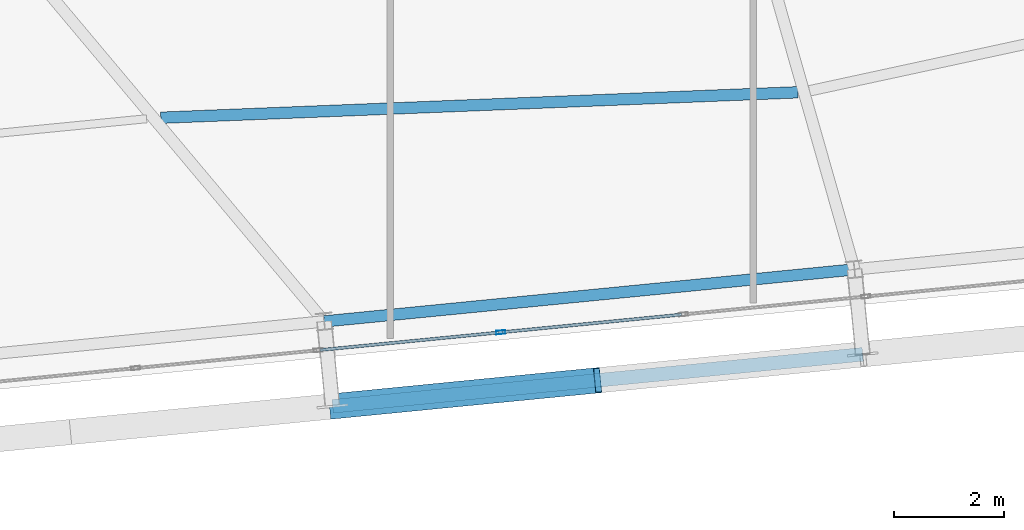
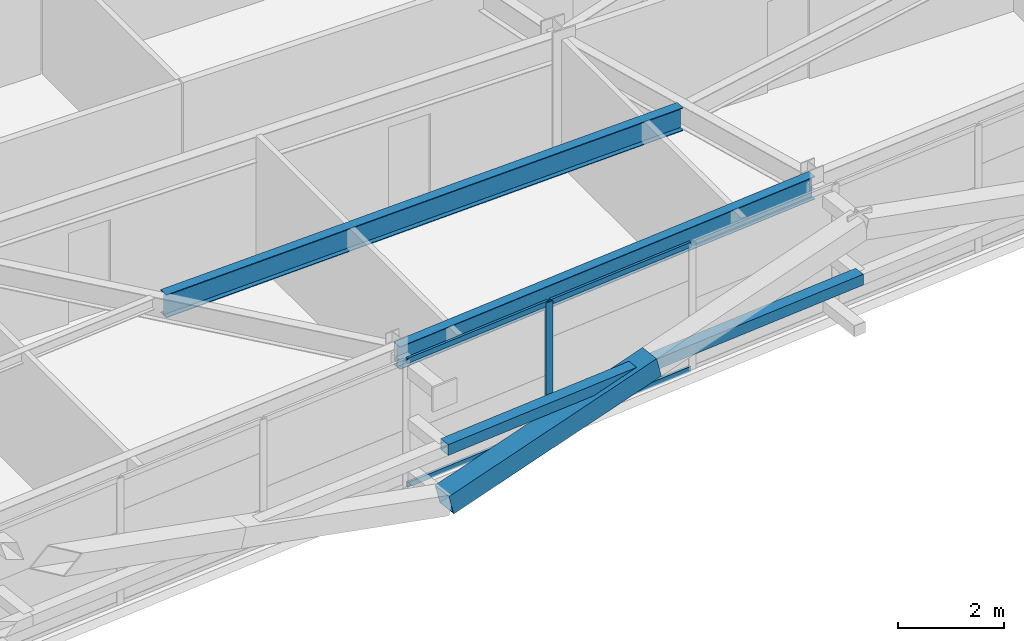
# One storey, part 11 of 52: 7 members, 2 beams, 1 element without a shape of its own.
"""IFC4 building model written with IfcOpenShell, lengths in metres."""

from ifc_helpers import new_model, si_unit, direction, frame, origin, origin_2d, place, context, subcontext, project, spatial, hollow_rectangle, i_section, extrude, source, transform, mapped, material, layer, layer_set, material_profile, profile_set, type_object, element, aggregate, save


model = new_model("IFC4")

# Units and contexts
model_context = context("Model", 3, precision=1e-05, world=origin(), true_north=direction((0.0, 1.0)))
body_context = subcontext(model_context, "Body", "Model", "MODEL_VIEW")
ifc_project = project(units=[si_unit("LENGTHUNIT", "METRE"), si_unit("AREAUNIT", "SQUARE_METRE"), si_unit("VOLUMEUNIT", "CUBIC_METRE"), si_unit("PLANEANGLEUNIT", "RADIAN"), si_unit("MASSUNIT", "GRAM", prefix="KILO")], contexts=[model_context])

# Site, building, storey
site_placement = place(None, origin())
site = spatial("IfcSite", under=ifc_project, at=site_placement, CompositionType="ELEMENT")
building_placement = place(site_placement, origin())
building = spatial("IfcBuilding", under=site, at=building_placement, Name="Taldren Reach Tower", CompositionType="ELEMENT")
storey_placement = place(building_placement, frame((0.0, 0.0, 74.550048828125)))
storey = spatial("IfcBuildingStorey", under=building, at=storey_placement, Name="L22", CompositionType="ELEMENT", Elevation=74.550048828125)

# Beams
ifc_material_1 = material(Name="Steel Gr 350 (350PLUS)", Category="steel")
ifc_material_profile_1 = material_profile(ifc_material_1, i_section(OverallWidth=0.208984375, OverallDepth=0.528076171875, WebThickness=0.009521484375, FlangeThickness=0.01318359375, at=origin_2d()), Name="530UB82.0")
ifc_profile_set_1 = profile_set([ifc_material_profile_1], Name="Steel Gr 350 (350PLUS)")
beam_type_1 = type_object("IfcBeamType", Name="SP-UB530B", PredefinedType="SPANDREL", material=ifc_profile_set_1)
shared_shape_1 = source(origin(), body_context, "Body", "SweptSolid", [
    extrude(i_section(OverallWidth=0.208984375, OverallDepth=0.528076171875, WebThickness=0.009521484375, FlangeThickness=0.01318359375, at=origin_2d()), origin(), (0.0, 0.0, 1.0), 9.679931640625),
])
beam_1_placement = place(storey_placement, frame((34.20166015625, 1.809326171875, 2.666015625), z_axis=(0.995227612658, 0.097580730699, 0.0), x_axis=(-0.097580730699, 0.995227612658, 0.0)))
element("IfcBeam", 1, at=beam_1_placement, inside=storey, type_object=beam_type_1, Name="Perimeter spandrel B2 S3-S4 L22", PredefinedType="SPANDREL", context=body_context, shape_type="MappedRepresentation", body=[
    mapped(shared_shape_1, transform((0.0, 0.0, 0.0), scale=1.0)),
])
ifc_material_profile_2 = material_profile(ifc_material_1, i_section(OverallWidth=0.208984375, OverallDepth=0.532958984375, WebThickness=0.01025390625, FlangeThickness=0.015625, at=origin_2d()), Name="530UB92.4")
ifc_profile_set_2 = profile_set([ifc_material_profile_2], Name="Steel Gr 350 (350PLUS)")
beam_type_2 = type_object("IfcBeamType", Name="BM-UB530A", PredefinedType="BEAM", material=ifc_profile_set_2)
shared_shape_2 = source(origin(), body_context, "Body", "SweptSolid", [
    extrude(i_section(OverallWidth=0.208984375, OverallDepth=0.532958984375, WebThickness=0.01025390625, FlangeThickness=0.015625, at=origin_2d()), origin(), (0.0, 0.0, 1.0), 11.586669921875),
])
beam_2_placement = place(storey_placement, frame((31.23291015625, 5.510009765625, 2.663330078125), z_axis=(0.999202506312, 0.039929329821, 0.0), x_axis=(-0.039929329821, 0.999202506312, 0.0)))
element("IfcBeam", 2, at=beam_2_placement, inside=storey, type_object=beam_type_2, Name="Secondary floor beam B2 J3 L22", PredefinedType="BEAM", context=body_context, shape_type="MappedRepresentation", body=[
    mapped(shared_shape_2, transform((0.0, 0.0, 0.0), scale=1.0)),
])

# Members
ifc_material_2 = material(Name="Steel Gr 450 (C450L0)", Category="steel")
ifc_material_profile_3 = material_profile(ifc_material_2, hollow_rectangle(XDim=0.4599609375, YDim=0.4599609375, WallThickness=0.01611328125, at=origin_2d()), Name="460x460x16.0SHS")
ifc_profile_set_3 = profile_set([ifc_material_profile_3], Name="Steel Gr 450 (C450L0)")
member_type_1 = type_object("IfcMemberType", Name="MB-EXO457", PredefinedType="BRACE", material=ifc_profile_set_3)
shared_shape_3 = source(origin(), body_context, "Body", "SweptSolid", [
    extrude(hollow_rectangle(XDim=0.4599609375, YDim=0.4599609375, WallThickness=0.01611328125, at=origin_2d()), origin(), (0.0, 0.0, 1.0), 4.990234375),
])
member_1_placement = place(storey_placement, frame((34.35302734375, 0.2666015625, 0.219970703125), z_axis=(0.965271056716, 0.094667992638, 0.243494883389), x_axis=(-0.097605711627, 0.995225162995, 0.0)))
element("IfcMember", 3, at=member_1_placement, inside=storey, type_object=member_type_1, Name="Exoskeleton Diagrid Brace B2-S3 L22", PredefinedType="BRACE", context=body_context, shape_type="MappedRepresentation", body=[
    mapped(shared_shape_3, transform((0.0, 0.0, 0.0), scale=1.0)),
])
ifc_material_3 = material(Name="Steel Gr 350 (C350L0)", Category="steel")
ifc_material_profile_4 = material_profile(ifc_material_3, hollow_rectangle(XDim=0.25, YDim=0.25, WallThickness=0.010009765625, at=origin_2d()), Name="250x250x10.0SHS")
ifc_profile_set_4 = profile_set([ifc_material_profile_4], Name="Steel Gr 350 (C350L0)")
member_type_2 = type_object("IfcMemberType", Name="MB-POST250", PredefinedType="POST", material=ifc_profile_set_4)
shared_shape_4 = source(origin(), body_context, "Body", "SweptSolid", [
    extrude(hollow_rectangle(XDim=0.25, YDim=0.25, WallThickness=0.010009765625, at=origin_2d()), origin(), (0.0, 0.0, 1.0), 9.679931640625),
])
member_2_placement = place(storey_placement, frame((34.35302734375, 0.2666015625, 1.43505859375), z_axis=(0.995225162995, 0.097605711627, 0.0), x_axis=(-0.097605711627, 0.995225162995, 0.0)))
element("IfcMember", 4, at=member_2_placement, inside=storey, type_object=member_type_2, Name="Exoskeleton mid-height ring chord B2-S3 L22", PredefinedType="POST", context=body_context, shape_type="MappedRepresentation", body=[
    mapped(shared_shape_4, transform((0.0, 0.0, 0.0), scale=1.0)),
])

# Curtain wall, members
ifc_material_4 = material(Name="Aluminium and Low-E Glass Unitised System", Category="aluminium")
ifc_layer = layer(ifc_material_4, 0.159912109375)
ifc_layer_set = layer_set([ifc_layer], Name="Aluminium and Low-E Glass Unitised System")
curtain_wall_type = type_object("IfcCurtainWallType", Name="CW-SYS-3", PredefinedType="NOTDEFINED", material=ifc_layer_set)
curtain_wall_placement = place(storey_placement, origin())
curtain_wall = element("IfcCurtainWall", 5, at=curtain_wall_placement, inside=storey, type_object=curtain_wall_type, Name="Unitised curtain wall CW-L22-S", PredefinedType="NOTDEFINED")
ifc_material_5 = material(Name="Anodised Aluminium 6063-T6", Category="aluminium")
ifc_material_profile_5 = material_profile(ifc_material_5, hollow_rectangle(XDim=0.06494140625, YDim=0.1650390625, WallThickness=0.00390625, at=origin_2d()), Name="ALU-165x65x4RHS")
ifc_profile_set_5 = profile_set([ifc_material_profile_5], Name="Anodised Aluminium 6063-T6")
member_type_3 = type_object("IfcMemberType", Name="CW-MUL-165", PredefinedType="MULLION", material=ifc_profile_set_5)
shared_shape_5 = source(origin(), body_context, "Body", "SweptSolid", [
    extrude(hollow_rectangle(XDim=0.06494140625, YDim=0.1650390625, WallThickness=0.00390625, at=origin_2d()), origin(), (0.0, 0.0, 1.0), 2.929931640625),
])
member_3_placement = place(storey_placement, frame((37.40966796875, 1.611328125, 0.0), z_axis=(0.0, 0.0, 1.0), x_axis=(-0.097582999046, 0.995227390247, 0.0)))
member_3 = element("IfcMember", 6, at=member_3_placement, type_object=member_type_3, Name="CW-3 mullion 8", PredefinedType="MULLION", context=body_context, shape_type="MappedRepresentation", body=[
    mapped(shared_shape_5, transform((0.0, 0.0, 0.0), scale=1.0)),
])
ifc_material_profile_6 = material_profile(ifc_material_5, hollow_rectangle(XDim=0.054931640625, YDim=0.1201171875, WallThickness=0.0029296875, at=origin_2d()), Name="ALU-120x55x3RHS")
ifc_profile_set_6 = profile_set([ifc_material_profile_6], Name="Anodised Aluminium 6063-T6")
member_type_4 = type_object("IfcMemberType", Name="CW-TRN-135", PredefinedType="USERDEFINED", material=ifc_profile_set_6)
shared_shape_6 = source(origin(), body_context, "Body", "SweptSolid", [
    extrude(hollow_rectangle(XDim=0.054931640625, YDim=0.1201171875, WallThickness=0.0029296875, at=origin_2d()), origin(), (0.0, 0.0, 1.0), 3.268310546875),
])
member_4_placement = place(storey_placement, frame((34.124755859375, 1.289306640625, 0.02734375), z_axis=(0.99522980512, 0.097558367146, 0.0), x_axis=(-0.097558367146, 0.99522980512, 0.0)))
member_4 = element("IfcMember", 7, at=member_4_placement, type_object=member_type_4, Name="CW-3 transom 7.1", ObjectType="TRANSOM", PredefinedType="USERDEFINED", context=body_context, shape_type="MappedRepresentation", body=[
    mapped(shared_shape_6, transform((0.0, 0.0, 0.0), scale=1.0)),
])
member_5_placement = place(storey_placement, frame((34.124755859375, 1.289306640625, 2.90234375), z_axis=(0.99522980512, 0.097558367146, 0.0), x_axis=(-0.097558367146, 0.99522980512, 0.0)))
member_5 = element("IfcMember", 8, at=member_5_placement, type_object=member_type_4, Name="CW-3 transom 7.2", ObjectType="TRANSOM", PredefinedType="USERDEFINED", context=body_context, shape_type="MappedRepresentation", body=[
    mapped(shared_shape_6, transform((0.0, 0.0, 0.0), scale=1.0)),
])
member_6_placement = place(storey_placement, frame((37.442138671875, 1.614501953125, 0.02734375), z_axis=(0.995222549564, 0.097632355496, 0.0), x_axis=(-0.097632355496, 0.995222549564, 0.0)))
member_6 = element("IfcMember", 9, at=member_6_placement, type_object=member_type_4, Name="CW-3 transom 8.1", ObjectType="TRANSOM", PredefinedType="USERDEFINED", context=body_context, shape_type="MappedRepresentation", body=[
    mapped(shared_shape_6, transform((0.0, 0.0, 0.0), scale=1.0)),
])
member_7_placement = place(storey_placement, frame((37.442138671875, 1.614501953125, 2.90234375), z_axis=(0.995222549564, 0.097632355496, 0.0), x_axis=(-0.097632355496, 0.995222549564, 0.0)))
member_7 = element("IfcMember", 10, at=member_7_placement, type_object=member_type_4, Name="CW-3 transom 8.2", ObjectType="TRANSOM", PredefinedType="USERDEFINED", context=body_context, shape_type="MappedRepresentation", body=[
    mapped(shared_shape_6, transform((0.0, 0.0, 0.0), scale=1.0)),
])
aggregate(curtain_wall, [member_3, member_4, member_5, member_6, member_7])

save(model, "model.ifc")
